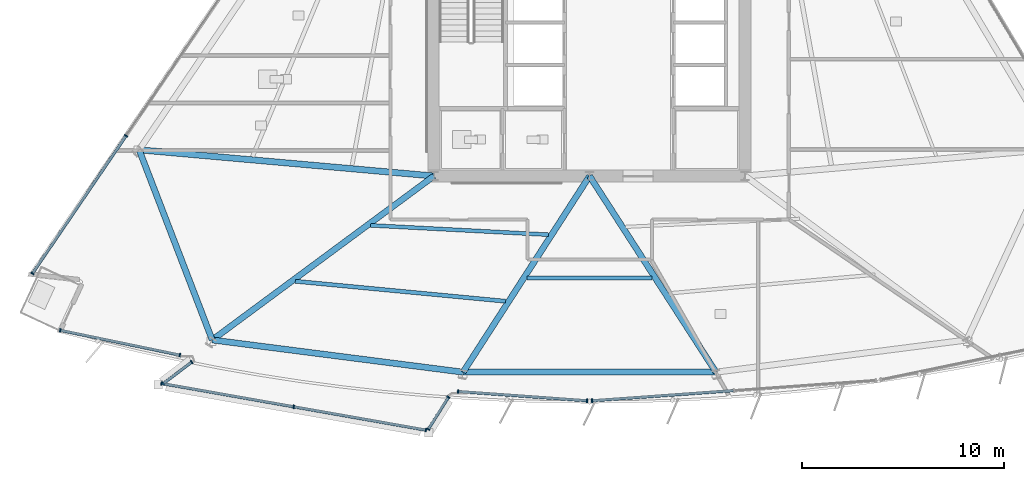
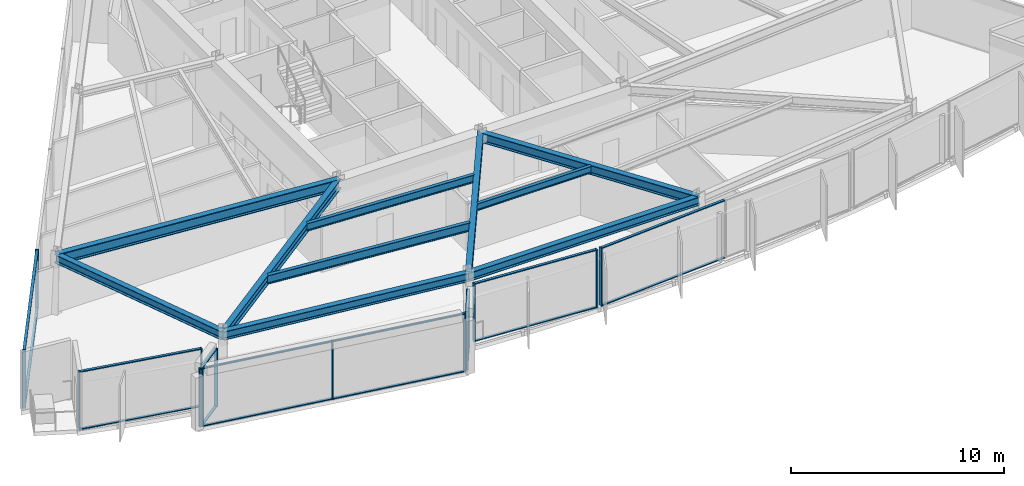
# One storey, part 2 of 15: 30 members, 10 beams, 7 elements without a shape of their own.
"""IFC4 building model written with IfcOpenShell, lengths in metres."""

from ifc_helpers import new_model, si_unit, direction, frame, origin, origin_2d, place, context, subcontext, project, spatial, rectangle, i_section, extrude, material, material_profile, profile_set, type_object, element, aggregate, save


model = new_model("IFC4")

# Units and contexts
model_context = context("Model", 3, precision=1e-05, world=origin(), true_north=direction((0.0, 1.0)))
body_context = subcontext(model_context, "Body", "Model", "MODEL_VIEW")
ifc_project = project(units=[si_unit("LENGTHUNIT", "METRE"), si_unit("AREAUNIT", "SQUARE_METRE"), si_unit("VOLUMEUNIT", "CUBIC_METRE"), si_unit("PLANEANGLEUNIT", "RADIAN"), si_unit("MASSUNIT", "GRAM", prefix="KILO")], contexts=[model_context])

# Site, building, storey
site_placement = place(None, origin())
site = spatial("IfcSite", under=ifc_project, at=site_placement, CompositionType="ELEMENT")
building_placement = place(site_placement, origin())
building = spatial("IfcBuilding", under=site, at=building_placement, Name="Savorim Split Tower", CompositionType="ELEMENT")
storey_placement = place(building_placement, frame((0.0, 0.0, 107.699951171875)))
storey = spatial("IfcBuildingStorey", under=building, at=storey_placement, Name="L28", CompositionType="ELEMENT", Elevation=107.699951171875)

# Beams
ifc_material_1 = material(Name="Steel S355", Category="steel")
ifc_material_profile_1 = material_profile(ifc_material_1, i_section(OverallWidth=0.179931640625, OverallDepth=0.39990234375, WebThickness=0.008544921875, FlangeThickness=0.013427734375, FilletRadius=0.02099609375, at=origin_2d()), Name="IPE 400")
ifc_profile_set_1 = profile_set([ifc_material_profile_1], Name="Steel S355")
beam_type_1 = type_object("IfcBeamType", Name="BM-JST-IPE400", PredefinedType="JOIST", material=ifc_profile_set_1)
beam_1_placement = place(storey_placement, frame((-3.0947265625, -14.448486328125, 3.150146484375), z_axis=(1.0, 0.0, 0.0), x_axis=(0.0, 1.0, 0.0)))
element("IfcBeam", 1, at=beam_1_placement, inside=storey, type_object=beam_type_1, Name="L28 Secondary Floor Joist JS-03", PredefinedType="JOIST", context=body_context, shape_type="SweptSolid", body=[
    extrude(i_section(OverallWidth=0.179931640625, OverallDepth=0.39990234375, WebThickness=0.008544921875, FlangeThickness=0.013427734375, FilletRadius=0.02099609375, at=origin_2d()), origin(), (0.0, 0.0, 1.0), 6.189453125),
])
ifc_material_profile_2 = material_profile(ifc_material_1, i_section(OverallWidth=0.18994140625, OverallDepth=0.449951171875, WebThickness=0.009521484375, FlangeThickness=0.0146484375, FilletRadius=0.02099609375, at=origin_2d()), Name="IPE 450")
ifc_profile_set_2 = profile_set([ifc_material_profile_2], Name="Steel S355")
beam_type_2 = type_object("IfcBeamType", Name="BM-JST-IPE450", PredefinedType="JOIST", material=ifc_profile_set_2)
beam_2_placement = place(storey_placement, frame((-10.832763671875, -11.8427734375, 3.125), z_axis=(0.998626621513, -0.052391514633, 0.0), x_axis=(0.052391514633, 0.998626621513, 0.0)))
element("IfcBeam", 2, at=beam_2_placement, inside=storey, type_object=beam_type_2, Name="L28 Secondary Floor Joist JS-02", PredefinedType="JOIST", context=body_context, shape_type="SweptSolid", body=[
    extrude(i_section(OverallWidth=0.18994140625, OverallDepth=0.449951171875, WebThickness=0.009521484375, FlangeThickness=0.0146484375, FilletRadius=0.02099609375, at=origin_2d()), origin(), (0.0, 0.0, 1.0), 8.807373046875),
])
ifc_material_profile_3 = material_profile(ifc_material_1, i_section(OverallWidth=0.199951171875, OverallDepth=0.5, WebThickness=0.01025390625, FlangeThickness=0.01611328125, FilletRadius=0.02099609375, at=origin_2d()), Name="IPE 500")
ifc_profile_set_3 = profile_set([ifc_material_profile_3], Name="Steel S355")
beam_type_3 = type_object("IfcBeamType", Name="BM-JST-IPE500", PredefinedType="JOIST", material=ifc_profile_set_3)
beam_3_placement = place(storey_placement, frame((-14.564697265625, -14.6083984375, 3.10009765625), z_axis=(0.99550177248, -0.094742920526, 0.0), x_axis=(0.094742920526, 0.99550177248, 0.0)))
element("IfcBeam", 3, at=beam_3_placement, inside=storey, type_object=beam_type_3, Name="L28 Secondary Floor Joist JS-01", PredefinedType="JOIST", context=body_context, shape_type="SweptSolid", body=[
    extrude(i_section(OverallWidth=0.199951171875, OverallDepth=0.5, WebThickness=0.01025390625, FlangeThickness=0.01611328125, FilletRadius=0.02099609375, at=origin_2d()), origin(), (0.0, 0.0, 1.0), 10.446533203125),
])
ifc_material_profile_4 = material_profile(ifc_material_1, i_section(OverallWidth=0.300048828125, OverallDepth=0.550048828125, WebThickness=0.014892578125, FlangeThickness=0.029052734375, FilletRadius=0.027099609375, at=origin_2d()), Name="HEB 550")
ifc_profile_set_4 = profile_set([ifc_material_profile_4], Name="Steel S355")
beam_type_4 = type_object("IfcBeamType", Name="BM-PRI-HEB550", PredefinedType="BEAM", material=ifc_profile_set_4)
beam_4_placement = place(storey_placement, frame((-18.675048828125, -17.514404296875, 3.074951171875), z_axis=(0.804089519027, 0.594508238286, 0.0), x_axis=(-0.594508238286, 0.804089519027, 0.0)))
element("IfcBeam", 4, at=beam_4_placement, inside=storey, type_object=beam_type_4, Name="L28 Primary Floor Girder RG-01", PredefinedType="BEAM", context=body_context, shape_type="SweptSolid", body=[
    extrude(i_section(OverallWidth=0.300048828125, OverallDepth=0.550048828125, WebThickness=0.014892578125, FlangeThickness=0.029052734375, FilletRadius=0.027099609375, at=origin_2d()), origin(), (0.0, 0.0, 1.0), 13.649169921875),
])
for number, where, z_axis, x_axis, name in (
    (5, (-6.259033203125, -19.1083984375, 3.074951171875), (0.541850991963, 0.840474569817, 0.0), (-0.840474569817, 0.541850991963, 0.0), "L28 Primary Floor Girder RG-02"),
    (6, (6.259033203125, -19.1083984375, 3.074951171875), (-0.541850991963, 0.840474569817, 0.0), (-0.840474569817, -0.541850991963, 0.0), "L28 Primary Floor Girder RG-03"),
):
    element("IfcBeam", number, at=place(storey_placement, frame(where, z_axis=z_axis, x_axis=x_axis)), inside=storey, type_object=beam_type_4, Name=name, PredefinedType="BEAM", context=body_context, shape_type="SweptSolid", body=[
        extrude(i_section(OverallWidth=0.300048828125, OverallDepth=0.550048828125, WebThickness=0.014892578125, FlangeThickness=0.029052734375, FilletRadius=0.027099609375, at=origin_2d()), origin(), (0.0, 0.0, 1.0), 11.55126953125),
    ])
ifc_material_2 = material(Name="Steel S460", Category="steel")
ifc_material_profile_5 = material_profile(ifc_material_2, i_section(OverallWidth=0.304931640625, OverallDepth=0.6201171875, WebThickness=0.02099609375, FlangeThickness=0.0400390625, FilletRadius=0.027099609375, at=origin_2d()), Name="HE 600 M")
ifc_profile_set_5 = profile_set([ifc_material_profile_5], Name="Steel S460")
beam_type_5 = type_object("IfcBeamType", Name="BM-PRI-HEM600", PredefinedType="BEAM", material=ifc_profile_set_5)
beam_5_placement = place(storey_placement, frame((-22.29296875, -8.102783203125, 3.0400390625), z_axis=(0.996072869302, -0.088537218386, 0.0), x_axis=(0.088537218386, 0.996072869302, 0.0)))
element("IfcBeam", 7, at=beam_5_placement, inside=storey, type_object=beam_type_5, Name="L28 Primary Floor Girder RG-10", PredefinedType="BEAM", context=body_context, shape_type="SweptSolid", body=[
    extrude(i_section(OverallWidth=0.304931640625, OverallDepth=0.6201171875, WebThickness=0.02099609375, FlangeThickness=0.0400390625, FilletRadius=0.027099609375, at=origin_2d()), origin(), (0.0, 0.0, 1.0), 14.650634765625),
])
ifc_material_profile_6 = material_profile(ifc_material_1, i_section(OverallWidth=0.300048828125, OverallDepth=0.489990234375, WebThickness=0.011962890625, FlangeThickness=0.02294921875, FilletRadius=0.027099609375, at=origin_2d()), Name="HEA 500")
ifc_profile_set_6 = profile_set([ifc_material_profile_6], Name="Steel S355")
beam_type_6 = type_object("IfcBeamType", Name="BM-SPN-HEA500", PredefinedType="SPANDREL", material=ifc_profile_set_6)
beam_6_placement = place(storey_placement, frame((-18.675048828125, -17.514404296875, 3.10498046875), z_axis=(0.991859509756, -0.127337005254, 0.0), x_axis=(0.127337005254, 0.991859509756, 0.0)))
element("IfcBeam", 8, at=beam_6_placement, inside=storey, type_object=beam_type_6, Name="L28 Perimeter Spandrel Beam 1", PredefinedType="SPANDREL", context=body_context, shape_type="SweptSolid", body=[
    extrude(i_section(OverallWidth=0.300048828125, OverallDepth=0.489990234375, WebThickness=0.011962890625, FlangeThickness=0.02294921875, FilletRadius=0.027099609375, at=origin_2d()), origin(), (0.0, 0.0, 1.0), 12.517822265625),
])
beam_7_placement = place(storey_placement, frame((-6.259033203125, -19.1083984375, 3.10498046875), z_axis=(1.0, 0.0, 0.0), x_axis=(0.0, 1.0, 0.0)))
element("IfcBeam", 9, at=beam_7_placement, inside=storey, type_object=beam_type_6, Name="L28 Perimeter Spandrel Beam 2", PredefinedType="SPANDREL", context=body_context, shape_type="SweptSolid", body=[
    extrude(i_section(OverallWidth=0.300048828125, OverallDepth=0.489990234375, WebThickness=0.011962890625, FlangeThickness=0.02294921875, FilletRadius=0.027099609375, at=origin_2d()), origin(), (0.0, 0.0, 1.0), 12.51806640625),
])
beam_8_placement = place(storey_placement, frame((-22.29296875, -8.102783203125, 3.10498046875), z_axis=(0.35881195416, -0.933409867931, 0.0), x_axis=(0.933409867931, 0.35881195416, 0.0)))
element("IfcBeam", 10, at=beam_8_placement, inside=storey, type_object=beam_type_6, Name="L28 Perimeter Spandrel Beam 10", PredefinedType="SPANDREL", context=body_context, shape_type="SweptSolid", body=[
    extrude(i_section(OverallWidth=0.300048828125, OverallDepth=0.489990234375, WebThickness=0.011962890625, FlangeThickness=0.02294921875, FilletRadius=0.027099609375, at=origin_2d()), origin(), (0.0, 0.0, 1.0), 10.0830078125),
])

# Curtain wall, members
ifc_material_3 = material(Name="Dark Ceramic-Fritted Insulated Glass", Category="glass")
curtain_wall_type_1 = type_object("IfcCurtainWallType", Name="CW-TWR-FRIT-A", PredefinedType="NOTDEFINED", material=ifc_material_3)
curtain_wall_1_placement = place(storey_placement, origin())
curtain_wall_1 = element("IfcCurtainWall", 11, at=curtain_wall_1_placement, inside=storey, type_object=curtain_wall_type_1, Name="L28 Curtain Wall CW-L28-SF1A", PredefinedType="NOTDEFINED")
ifc_material_4 = material(Name="Charcoal Anodised Aluminium", Category="aluminium")
ifc_material_profile_7 = material_profile(ifc_material_4, rectangle(XDim=0.179931640625, YDim=0.06494140625, at=origin_2d()), Name="ALU-M 180x65")
ifc_profile_set_7 = profile_set([ifc_material_profile_7], Name="Charcoal Anodised Aluminium")
member_type_1 = type_object("IfcMemberType", Name="CWM-180x65", PredefinedType="MULLION", material=ifc_profile_set_7)
member_1_placement = place(storey_placement, frame((-26.201171875, -17.0341796875, 0.0), z_axis=(0.0, 0.0, 1.0), x_axis=(0.203210243687, 0.979135126967, 0.0)))
member_1 = element("IfcMember", 12, at=member_1_placement, type_object=member_type_1, Name="CW-02 mullion 1", PredefinedType="MULLION", context=body_context, shape_type="SweptSolid", body=[
    extrude(rectangle(XDim=0.179931640625, YDim=0.06494140625, at=origin_2d()), origin(), (0.0, 0.0, 1.0), 3.35009765625),
])
member_2_placement = place(storey_placement, frame((-20.2783203125, -18.263427734375, 0.0), z_axis=(0.0, 0.0, 1.0), x_axis=(0.203210243687, 0.979135126967, 0.0)))
member_2 = element("IfcMember", 13, at=member_2_placement, type_object=member_type_1, Name="CW-02 mullion 2", PredefinedType="MULLION", context=body_context, shape_type="SweptSolid", body=[
    extrude(rectangle(XDim=0.179931640625, YDim=0.06494140625, at=origin_2d()), origin(), (0.0, 0.0, 1.0), 3.35009765625),
])

curtain_wall_2_placement = place(storey_placement, origin())
curtain_wall_2 = element("IfcCurtainWall", 14, at=curtain_wall_2_placement, inside=storey, type_object=curtain_wall_type_1, Name="L28 Curtain Wall CW-L28-SF2A", PredefinedType="NOTDEFINED")
member_3_placement = place(storey_placement, frame((-6.505126953125, -20.064208984375, 0.0), z_axis=(0.0, 0.0, 1.0), x_axis=(0.071562632816, 0.997436108021, 0.0)))
member_3 = element("IfcMember", 15, at=member_3_placement, type_object=member_type_1, Name="CW-02 mullion 1", PredefinedType="MULLION", context=body_context, shape_type="SweptSolid", body=[
    extrude(rectangle(XDim=0.179931640625, YDim=0.06494140625, at=origin_2d()), origin(), (0.0, 0.0, 1.0), 3.35009765625),
])
member_4_placement = place(storey_placement, frame((-0.12353515625, -20.52197265625, 0.0), z_axis=(0.0, 0.0, 1.0), x_axis=(0.071562632816, 0.997436108021, 0.0)))
member_4 = element("IfcMember", 16, at=member_4_placement, type_object=member_type_1, Name="CW-02 mullion 2", PredefinedType="MULLION", context=body_context, shape_type="SweptSolid", body=[
    extrude(rectangle(XDim=0.179931640625, YDim=0.06494140625, at=origin_2d()), origin(), (0.0, 0.0, 1.0), 3.35009765625),
])

# Curtain wall, member
curtain_wall_3_placement = place(storey_placement, origin())
curtain_wall_3 = element("IfcCurtainWall", 17, at=curtain_wall_3_placement, inside=storey, type_object=curtain_wall_type_1, Name="L28 Curtain Wall CW-L28-SF3A", PredefinedType="NOTDEFINED")
member_5_placement = place(storey_placement, frame((0.12353515625, -20.52197265625, 0.0), z_axis=(0.0, 0.0, 1.0), x_axis=(-0.071558982453, 0.997436369916, 0.0)))
member_5 = element("IfcMember", 18, at=member_5_placement, type_object=member_type_1, Name="CW-02 mullion 1", PredefinedType="MULLION", context=body_context, shape_type="SweptSolid", body=[
    extrude(rectangle(XDim=0.179931640625, YDim=0.06494140625, at=origin_2d()), origin(), (0.0, 0.0, 1.0), 3.35009765625),
])

# Curtain wall, members
curtain_wall_type_2 = type_object("IfcCurtainWallType", Name="CW-BAY-LOUNGE", PredefinedType="NOTDEFINED", material=ifc_material_3)
curtain_wall_4_placement = place(storey_placement, origin())
curtain_wall_4 = element("IfcCurtainWall", 19, at=curtain_wall_4_placement, inside=storey, type_object=curtain_wall_type_2, Name="L28 Curtain Wall CW-L28-BAYF", PredefinedType="NOTDEFINED")
member_6_placement = place(storey_placement, frame((-21.18310546875, -19.666748046875, 0.0), z_axis=(0.0, 0.0, 1.0), x_axis=(0.173703290368, 0.984798033566, 0.0)))
member_6 = element("IfcMember", 20, at=member_6_placement, type_object=member_type_1, Name="CW-04 mullion 1", PredefinedType="MULLION", context=body_context, shape_type="SweptSolid", body=[
    extrude(rectangle(XDim=0.179931640625, YDim=0.06494140625, at=origin_2d()), origin(), (0.0, 0.0, 1.0), 3.35009765625),
])
member_7_placement = place(storey_placement, frame((-14.6416015625, -20.82080078125, 0.0), z_axis=(0.0, 0.0, 1.0), x_axis=(0.173703290368, 0.984798033566, 0.0)))
member_7 = element("IfcMember", 21, at=member_7_placement, type_object=member_type_1, Name="CW-04 mullion 2", PredefinedType="MULLION", context=body_context, shape_type="SweptSolid", body=[
    extrude(rectangle(XDim=0.179931640625, YDim=0.06494140625, at=origin_2d()), origin(), (0.0, 0.0, 1.0), 3.35009765625),
])
member_8_placement = place(storey_placement, frame((-8.099853515625, -21.974609375, 0.0), z_axis=(0.0, 0.0, 1.0), x_axis=(0.173703290368, 0.984798033566, 0.0)))
member_8 = element("IfcMember", 22, at=member_8_placement, type_object=member_type_1, Name="CW-04 mullion 3", PredefinedType="MULLION", context=body_context, shape_type="SweptSolid", body=[
    extrude(rectangle(XDim=0.179931640625, YDim=0.06494140625, at=origin_2d()), origin(), (0.0, 0.0, 1.0), 3.35009765625),
])

curtain_wall_5_placement = place(storey_placement, origin())
curtain_wall_5 = element("IfcCurtainWall", 23, at=curtain_wall_5_placement, inside=storey, type_object=curtain_wall_type_2, Name="L28 Curtain Wall CW-L28-BAYW", PredefinedType="NOTDEFINED")
member_9_placement = place(storey_placement, frame((-19.68994140625, -18.6064453125, 0.0), z_axis=(0.0, 0.0, 1.0), x_axis=(0.603725473499, -0.797192293395, 0.0)))
member_9 = element("IfcMember", 24, at=member_9_placement, type_object=member_type_1, Name="CW-04 mullion 1", PredefinedType="MULLION", context=body_context, shape_type="SweptSolid", body=[
    extrude(rectangle(XDim=0.179931640625, YDim=0.06494140625, at=origin_2d()), origin(), (0.0, 0.0, 1.0), 3.35009765625),
])
member_10_placement = place(storey_placement, frame((-21.10107421875, -19.675048828125, 0.0), z_axis=(0.0, 0.0, 1.0), x_axis=(0.603725473499, -0.797192293395, 0.0)))
member_10 = element("IfcMember", 25, at=member_10_placement, type_object=member_type_1, Name="CW-04 mullion 2", PredefinedType="MULLION", context=body_context, shape_type="SweptSolid", body=[
    extrude(rectangle(XDim=0.179931640625, YDim=0.06494140625, at=origin_2d()), origin(), (0.0, 0.0, 1.0), 3.35009765625),
])

curtain_wall_6_placement = place(storey_placement, origin())
curtain_wall_6 = element("IfcCurtainWall", 26, at=curtain_wall_6_placement, inside=storey, type_object=curtain_wall_type_2, Name="L28 Curtain Wall CW-L28-BAYE", PredefinedType="NOTDEFINED")
member_11_placement = place(storey_placement, frame((-7.9814453125, -21.93408203125, 0.0), z_axis=(0.0, 0.0, 1.0), x_axis=(-0.847099384387, 0.531434504875, 0.0)))
member_11 = element("IfcMember", 27, at=member_11_placement, type_object=member_type_1, Name="CW-04 mullion 1", PredefinedType="MULLION", context=body_context, shape_type="SweptSolid", body=[
    extrude(rectangle(XDim=0.179931640625, YDim=0.06494140625, at=origin_2d()), origin(), (0.0, 0.0, 1.0), 3.35009765625),
])
member_12_placement = place(storey_placement, frame((-6.98486328125, -20.345703125, 0.0), z_axis=(0.0, 0.0, 1.0), x_axis=(-0.847099384387, 0.531434504875, 0.0)))
member_12 = element("IfcMember", 28, at=member_12_placement, type_object=member_type_1, Name="CW-04 mullion 2", PredefinedType="MULLION", context=body_context, shape_type="SweptSolid", body=[
    extrude(rectangle(XDim=0.179931640625, YDim=0.06494140625, at=origin_2d()), origin(), (0.0, 0.0, 1.0), 3.35009765625),
])

curtain_wall_7_placement = place(storey_placement, origin())
curtain_wall_7 = element("IfcCurtainWall", 29, at=curtain_wall_7_placement, inside=storey, type_object=curtain_wall_type_1, Name="L28 Curtain Wall CW-L28-WEST", PredefinedType="NOTDEFINED")
member_13_placement = place(storey_placement, frame((-22.94140625, -7.4091796875, 0.0), z_axis=(0.0, 0.0, 1.0), x_axis=(0.826819959579, -0.562466669628, 0.0)))
member_13 = element("IfcMember", 30, at=member_13_placement, type_object=member_type_1, Name="CW-02 mullion 4", PredefinedType="MULLION", context=body_context, shape_type="SweptSolid", body=[
    extrude(rectangle(XDim=0.179931640625, YDim=0.06494140625, at=origin_2d()), origin(), (0.0, 0.0, 1.0), 3.35009765625),
])
member_14_placement = place(storey_placement, frame((-27.57568359375, -14.221435546875, 0.0), z_axis=(0.0, 0.0, 1.0), x_axis=(0.826819959579, -0.562466669628, 0.0)))
member_14 = element("IfcMember", 31, at=member_14_placement, type_object=member_type_1, Name="CW-02 mullion 5", PredefinedType="MULLION", context=body_context, shape_type="SweptSolid", body=[
    extrude(rectangle(XDim=0.179931640625, YDim=0.06494140625, at=origin_2d()), origin(), (0.0, 0.0, 1.0), 3.35009765625),
])

# Member
ifc_material_profile_8 = material_profile(ifc_material_4, rectangle(XDim=0.139892578125, YDim=0.054931640625, at=origin_2d()), Name="ALU-T 140x55")
ifc_profile_set_8 = profile_set([ifc_material_profile_8], Name="Charcoal Anodised Aluminium")
member_type_2 = type_object("IfcMemberType", Name="CWT-140x55", PredefinedType="USERDEFINED", material=ifc_profile_set_8)
member_15_placement = place(storey_placement, frame((-26.169189453125, -17.040771484375, 0.027587890625), z_axis=(0.979131539762, -0.203227527275, 0.0), x_axis=(0.203227527275, 0.979131539762, 0.0)))
member_15 = element("IfcMember", 32, at=member_15_placement, type_object=member_type_2, Name="CW-02 transom 1.1", ObjectType="TRANSOM", PredefinedType="USERDEFINED", context=body_context, shape_type="SweptSolid", body=[
    extrude(rectangle(XDim=0.139892578125, YDim=0.054931640625, at=origin_2d()), origin(), (0.0, 0.0, 1.0), 5.983642578125),
])

member_16_placement = place(storey_placement, frame((-26.169189453125, -17.040771484375, 3.322509765625), z_axis=(0.979131539762, -0.203227527275, 0.0), x_axis=(0.203227527275, 0.979131539762, 0.0)))
member_16 = element("IfcMember", 33, at=member_16_placement, type_object=member_type_2, Name="CW-02 transom 1.2", ObjectType="TRANSOM", PredefinedType="USERDEFINED", context=body_context, shape_type="SweptSolid", body=[
    extrude(rectangle(XDim=0.139892578125, YDim=0.054931640625, at=origin_2d()), origin(), (0.0, 0.0, 1.0), 5.983642578125),
])

aggregate(curtain_wall_1, [member_1, member_2, member_15, member_16])

member_17_placement = place(storey_placement, frame((-6.47265625, -20.066650390625, 0.027587890625), z_axis=(0.997436931693, -0.071551151595, 0.0), x_axis=(0.071551151595, 0.997436931693, 0.0)))
member_17 = element("IfcMember", 34, at=member_17_placement, type_object=member_type_2, Name="CW-02 transom 1.1", ObjectType="TRANSOM", PredefinedType="USERDEFINED", context=body_context, shape_type="SweptSolid", body=[
    extrude(rectangle(XDim=0.139892578125, YDim=0.054931640625, at=origin_2d()), origin(), (0.0, 0.0, 1.0), 6.332763671875),
])

member_18_placement = place(storey_placement, frame((-6.47265625, -20.066650390625, 3.322509765625), z_axis=(0.997436931693, -0.071551151595, 0.0), x_axis=(0.071551151595, 0.997436931693, 0.0)))
member_18 = element("IfcMember", 35, at=member_18_placement, type_object=member_type_2, Name="CW-02 transom 1.2", ObjectType="TRANSOM", PredefinedType="USERDEFINED", context=body_context, shape_type="SweptSolid", body=[
    extrude(rectangle(XDim=0.139892578125, YDim=0.054931640625, at=origin_2d()), origin(), (0.0, 0.0, 1.0), 6.332763671875),
])

aggregate(curtain_wall_2, [member_3, member_4, member_17, member_18])

member_19_placement = place(storey_placement, frame((0.156005859375, -20.519775390625, 0.027587890625), z_axis=(0.997435910974, 0.071565379199, 0.0), x_axis=(-0.071565379199, 0.997435910974, 0.0)))
member_19 = element("IfcMember", 36, at=member_19_placement, type_object=member_type_2, Name="CW-02 transom 1.1", ObjectType="TRANSOM", PredefinedType="USERDEFINED", context=body_context, shape_type="SweptSolid", body=[
    extrude(rectangle(XDim=0.139892578125, YDim=0.054931640625, at=origin_2d()), origin(), (0.0, 0.0, 1.0), 6.976318359375),
])

member_20_placement = place(storey_placement, frame((0.156005859375, -20.519775390625, 3.322509765625), z_axis=(0.997435910974, 0.071565379199, 0.0), x_axis=(-0.071565379199, 0.997435910974, 0.0)))
member_20 = element("IfcMember", 37, at=member_20_placement, type_object=member_type_2, Name="CW-02 transom 1.2", ObjectType="TRANSOM", PredefinedType="USERDEFINED", context=body_context, shape_type="SweptSolid", body=[
    extrude(rectangle(XDim=0.139892578125, YDim=0.054931640625, at=origin_2d()), origin(), (0.0, 0.0, 1.0), 6.976318359375),
])

aggregate(curtain_wall_3, [member_5, member_19, member_20])

member_21_placement = place(storey_placement, frame((-21.151123046875, -19.672607421875, 0.027587890625), z_axis=(0.984803356764, -0.173673108183, 0.0), x_axis=(0.173673108183, 0.984803356764, 0.0)))
member_21 = element("IfcMember", 38, at=member_21_placement, type_object=member_type_2, Name="CW-04 transom 1.1", ObjectType="TRANSOM", PredefinedType="USERDEFINED", context=body_context, shape_type="SweptSolid", body=[
    extrude(rectangle(XDim=0.139892578125, YDim=0.054931640625, at=origin_2d()), origin(), (0.0, 0.0, 1.0), 6.577392578125),
])

member_22_placement = place(storey_placement, frame((-21.151123046875, -19.672607421875, 3.322509765625), z_axis=(0.984803356764, -0.173673108183, 0.0), x_axis=(0.173673108183, 0.984803356764, 0.0)))
member_22 = element("IfcMember", 39, at=member_22_placement, type_object=member_type_2, Name="CW-04 transom 1.2", ObjectType="TRANSOM", PredefinedType="USERDEFINED", context=body_context, shape_type="SweptSolid", body=[
    extrude(rectangle(XDim=0.139892578125, YDim=0.054931640625, at=origin_2d()), origin(), (0.0, 0.0, 1.0), 6.577392578125),
])

member_23_placement = place(storey_placement, frame((-14.609375, -20.826416015625, 0.027587890625), z_axis=(0.984797007786, -0.173709105851, 0.0), x_axis=(0.173709105851, 0.984797007786, 0.0)))
member_23 = element("IfcMember", 40, at=member_23_placement, type_object=member_type_2, Name="CW-04 transom 2.1", ObjectType="TRANSOM", PredefinedType="USERDEFINED", context=body_context, shape_type="SweptSolid", body=[
    extrude(rectangle(XDim=0.139892578125, YDim=0.054931640625, at=origin_2d()), origin(), (0.0, 0.0, 1.0), 6.57763671875),
])

member_24_placement = place(storey_placement, frame((-14.609375, -20.826416015625, 3.322509765625), z_axis=(0.984797007786, -0.173709105851, 0.0), x_axis=(0.173709105851, 0.984797007786, 0.0)))
member_24 = element("IfcMember", 41, at=member_24_placement, type_object=member_type_2, Name="CW-04 transom 2.2", ObjectType="TRANSOM", PredefinedType="USERDEFINED", context=body_context, shape_type="SweptSolid", body=[
    extrude(rectangle(XDim=0.139892578125, YDim=0.054931640625, at=origin_2d()), origin(), (0.0, 0.0, 1.0), 6.57763671875),
])

aggregate(curtain_wall_4, [member_6, member_7, member_8, member_21, member_22, member_23, member_24])

member_25_placement = place(storey_placement, frame((-19.7158203125, -18.626220703125, 0.027587890625), z_axis=(-0.797242490567, -0.603659184668, 0.0), x_axis=(0.603659184668, -0.797242490567, 0.0)))
member_25 = element("IfcMember", 42, at=member_25_placement, type_object=member_type_2, Name="CW-04 transom 1.1", ObjectType="TRANSOM", PredefinedType="USERDEFINED", context=body_context, shape_type="SweptSolid", body=[
    extrude(rectangle(XDim=0.139892578125, YDim=0.054931640625, at=origin_2d()), origin(), (0.0, 0.0, 1.0), 1.705078125),
])

member_26_placement = place(storey_placement, frame((-19.7158203125, -18.626220703125, 3.322509765625), z_axis=(-0.797242490567, -0.603659184668, 0.0), x_axis=(0.603659184668, -0.797242490567, 0.0)))
member_26 = element("IfcMember", 43, at=member_26_placement, type_object=member_type_2, Name="CW-04 transom 1.2", ObjectType="TRANSOM", PredefinedType="USERDEFINED", context=body_context, shape_type="SweptSolid", body=[
    extrude(rectangle(XDim=0.139892578125, YDim=0.054931640625, at=origin_2d()), origin(), (0.0, 0.0, 1.0), 1.705078125),
])

aggregate(curtain_wall_5, [member_9, member_10, member_25, member_26])

member_27_placement = place(storey_placement, frame((-7.964111328125, -21.906494140625, 0.027587890625), z_axis=(0.531453116238, 0.847087708116, 0.0), x_axis=(-0.847087708116, 0.531453116238, 0.0)))
member_27 = element("IfcMember", 44, at=member_27_placement, type_object=member_type_2, Name="CW-04 transom 1.1", ObjectType="TRANSOM", PredefinedType="USERDEFINED", context=body_context, shape_type="SweptSolid", body=[
    extrude(rectangle(XDim=0.139892578125, YDim=0.054931640625, at=origin_2d()), origin(), (0.0, 0.0, 1.0), 1.81005859375),
])

member_28_placement = place(storey_placement, frame((-7.964111328125, -21.906494140625, 3.322509765625), z_axis=(0.531453116238, 0.847087708116, 0.0), x_axis=(-0.847087708116, 0.531453116238, 0.0)))
member_28 = element("IfcMember", 45, at=member_28_placement, type_object=member_type_2, Name="CW-04 transom 1.2", ObjectType="TRANSOM", PredefinedType="USERDEFINED", context=body_context, shape_type="SweptSolid", body=[
    extrude(rectangle(XDim=0.139892578125, YDim=0.054931640625, at=origin_2d()), origin(), (0.0, 0.0, 1.0), 1.81005859375),
])

aggregate(curtain_wall_6, [member_11, member_12, member_27, member_28])

member_29_placement = place(storey_placement, frame((-22.959716796875, -7.43603515625, 0.027587890625), z_axis=(-0.562478304433, -0.826812044568, 0.0), x_axis=(0.826812044568, -0.562478304433, 0.0)))
member_29 = element("IfcMember", 46, at=member_29_placement, type_object=member_type_2, Name="CW-02 transom 4.1", ObjectType="TRANSOM", PredefinedType="USERDEFINED", context=body_context, shape_type="SweptSolid", body=[
    extrude(rectangle(XDim=0.139892578125, YDim=0.054931640625, at=origin_2d()), origin(), (0.0, 0.0, 1.0), 8.173828125),
])

member_30_placement = place(storey_placement, frame((-22.959716796875, -7.43603515625, 3.322509765625), z_axis=(-0.562478304433, -0.826812044568, 0.0), x_axis=(0.826812044568, -0.562478304433, 0.0)))
member_30 = element("IfcMember", 47, at=member_30_placement, type_object=member_type_2, Name="CW-02 transom 4.2", ObjectType="TRANSOM", PredefinedType="USERDEFINED", context=body_context, shape_type="SweptSolid", body=[
    extrude(rectangle(XDim=0.139892578125, YDim=0.054931640625, at=origin_2d()), origin(), (0.0, 0.0, 1.0), 8.173828125),
])

aggregate(curtain_wall_7, [member_13, member_14, member_29, member_30])

save(model, "model.ifc")
